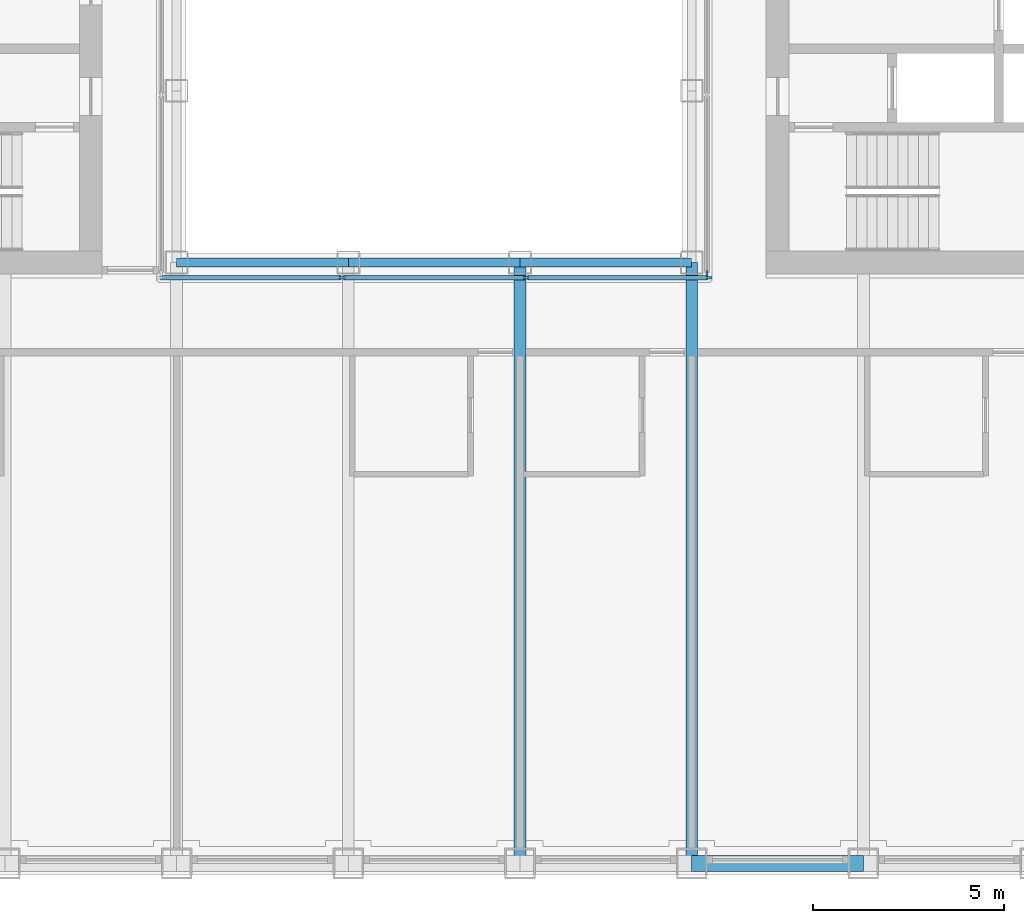
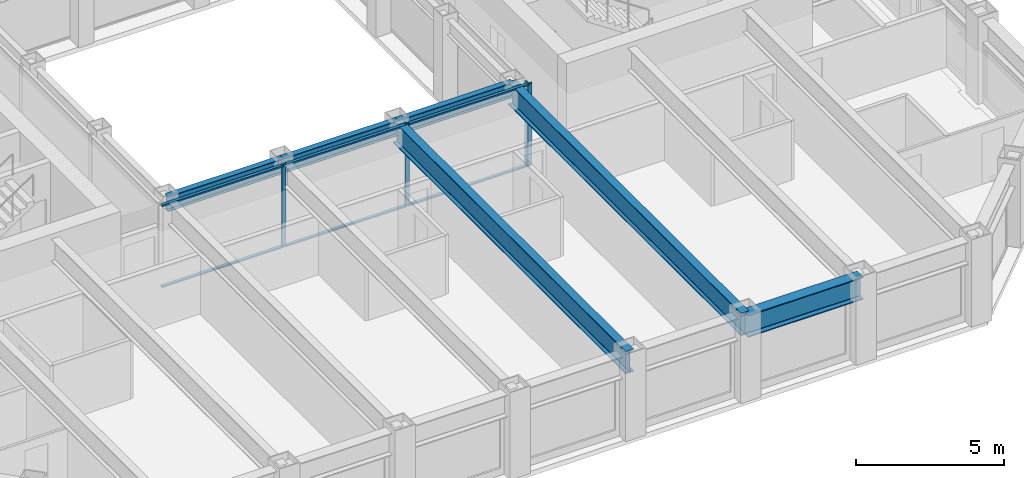
# One storey, part 3 of 17: 10 members, 6 beams, 2 elements without a shape of their own.
"""IFC4 building model written with IfcOpenShell, lengths in metres."""

from ifc_helpers import new_model, si_unit, direction, frame, origin, origin_2d, place, context, subcontext, project, spatial, rectangle, i_section, extrude, material, material_profile, profile_set, type_object, element, aggregate, save


model = new_model("IFC4")

# Units and contexts
model_context = context("Model", 3, precision=1e-05, world=origin(), true_north=direction((0.0, 1.0)))
body_context = subcontext(model_context, "Body", "Model", "MODEL_VIEW")
ifc_project = project(units=[si_unit("LENGTHUNIT", "METRE"), si_unit("AREAUNIT", "SQUARE_METRE"), si_unit("VOLUMEUNIT", "CUBIC_METRE"), si_unit("PLANEANGLEUNIT", "RADIAN"), si_unit("MASSUNIT", "GRAM", prefix="KILO")], contexts=[model_context])

# Site, building, storey
site_placement = place(None, origin())
site = spatial("IfcSite", under=ifc_project, at=site_placement, CompositionType="ELEMENT")
building_placement = place(site_placement, origin())
building = spatial("IfcBuilding", under=site, at=building_placement, Name="Msasa Ring Tower", CompositionType="ELEMENT")
storey_placement = place(building_placement, frame((0.0, 0.0, 165.199951171875)))
storey = spatial("IfcBuildingStorey", under=building, at=storey_placement, Name="L43", CompositionType="ELEMENT", Elevation=165.199951171875)

# Curtain wall, members
ifc_material_1 = material(Name="Aluminium curtain wall with clear glass", Category="aluminium")
curtain_wall_type = type_object("IfcCurtainWallType", Name="CW-W LIGHT WELL CURTAIN WALL", PredefinedType="NOTDEFINED", material=ifc_material_1)
curtain_wall_1_placement = place(storey_placement, origin())
curtain_wall_1 = element("IfcCurtainWall", 1, at=curtain_wall_1_placement, inside=storey, type_object=curtain_wall_type, Name="Light well curtain wall S L43", PredefinedType="NOTDEFINED")
ifc_material_2 = material(Name="Aluminium mullion", Category="aluminium")
ifc_material_profile_1 = material_profile(ifc_material_2, rectangle(XDim=0.06005859375, YDim=0.159912109375, at=origin_2d()), Name="AL 60x160")
ifc_profile_set_1 = profile_set([ifc_material_profile_1], Name="Aluminium mullion")
member_type_1 = type_object("IfcMemberType", Name="CW-W MULLION 60x160", PredefinedType="MULLION", material=ifc_profile_set_1)
member_1_placement = place(storey_placement, frame((-2.409912109375, -7.14990234375, 0.0), z_axis=(0.0, 0.0, 1.0), x_axis=(0.0, 1.0, 0.0)))
member_1 = element("IfcMember", 2, at=member_1_placement, type_object=member_type_1, Name="CW-W mullion 2", PredefinedType="MULLION", context=body_context, shape_type="SweptSolid", body=[
    extrude(rectangle(XDim=0.06005859375, YDim=0.159912109375, at=origin_2d()), origin(), (0.0, 0.0, 1.0), 3.400146484375),
])
member_2_placement = place(storey_placement, frame((2.409912109375, -7.14990234375, 0.0), z_axis=(0.0, 0.0, 1.0), x_axis=(0.0, 1.0, 0.0)))
member_2 = element("IfcMember", 3, at=member_2_placement, type_object=member_type_1, Name="CW-W mullion 3", PredefinedType="MULLION", context=body_context, shape_type="SweptSolid", body=[
    extrude(rectangle(XDim=0.06005859375, YDim=0.159912109375, at=origin_2d()), origin(), (0.0, 0.0, 1.0), 3.400146484375),
])
member_3_placement = place(storey_placement, frame((7.199951171875, -7.14990234375, 0.0), z_axis=(0.0, 0.0, 1.0), x_axis=(0.0, 1.0, 0.0)))
member_3 = element("IfcMember", 4, at=member_3_placement, type_object=member_type_1, Name="CW-W mullion 4", PredefinedType="MULLION", context=body_context, shape_type="SweptSolid", body=[
    extrude(rectangle(XDim=0.06005859375, YDim=0.159912109375, at=origin_2d()), origin(), (0.0, 0.0, 1.0), 3.400146484375),
])

# Curtain wall, member
curtain_wall_2_placement = place(storey_placement, origin())
curtain_wall_2 = element("IfcCurtainWall", 5, at=curtain_wall_2_placement, inside=storey, type_object=curtain_wall_type, Name="Light well curtain wall E L43", PredefinedType="NOTDEFINED")
member_4_placement = place(storey_placement, frame((7.14990234375, -7.0400390625, 0.0), z_axis=(0.0, 0.0, 1.0), x_axis=(-1.0, 0.0, 0.0)))
member_4 = element("IfcMember", 6, at=member_4_placement, type_object=member_type_1, Name="CW-W mullion 1", PredefinedType="MULLION", context=body_context, shape_type="SweptSolid", body=[
    extrude(rectangle(XDim=0.06005859375, YDim=0.159912109375, at=origin_2d()), origin(), (0.0, 0.0, 1.0), 3.400146484375),
])
aggregate(curtain_wall_2, [member_4])

# Member
ifc_material_3 = material(Name="Aluminium transom", Category="aluminium")
ifc_material_profile_2 = material_profile(ifc_material_3, rectangle(XDim=0.1201171875, YDim=0.06005859375, at=origin_2d()), Name="AL 60x120")
ifc_profile_set_2 = profile_set([ifc_material_profile_2], Name="Aluminium transom")
member_type_2 = type_object("IfcMemberType", Name="CW-W TRANSOM 60x120", PredefinedType="USERDEFINED", material=ifc_profile_set_2)
member_5_placement = place(storey_placement, frame((-7.169921875, -7.14990234375, 0.030029296875), z_axis=(1.0, 0.0, 0.0), x_axis=(0.0, 1.0, 0.0)))
member_5 = element("IfcMember", 7, at=member_5_placement, type_object=member_type_2, Name="CW-W transom 1.1", ObjectType="TRANSOM", PredefinedType="USERDEFINED", context=body_context, shape_type="SweptSolid", body=[
    extrude(rectangle(XDim=0.1201171875, YDim=0.06005859375, at=origin_2d()), origin(), (0.0, 0.0, 1.0), 4.72998046875),
])

member_6_placement = place(storey_placement, frame((-7.169921875, -7.14990234375, 3.3701171875), z_axis=(1.0, 0.0, 0.0), x_axis=(0.0, 1.0, 0.0)))
member_6 = element("IfcMember", 8, at=member_6_placement, type_object=member_type_2, Name="CW-W transom 1.2", ObjectType="TRANSOM", PredefinedType="USERDEFINED", context=body_context, shape_type="SweptSolid", body=[
    extrude(rectangle(XDim=0.1201171875, YDim=0.06005859375, at=origin_2d()), origin(), (0.0, 0.0, 1.0), 4.72998046875),
])

member_7_placement = place(storey_placement, frame((-2.3798828125, -7.14990234375, 0.030029296875), z_axis=(1.0, 0.0, 0.0), x_axis=(0.0, 1.0, 0.0)))
member_7 = element("IfcMember", 9, at=member_7_placement, type_object=member_type_2, Name="CW-W transom 2.1", ObjectType="TRANSOM", PredefinedType="USERDEFINED", context=body_context, shape_type="SweptSolid", body=[
    extrude(rectangle(XDim=0.1201171875, YDim=0.06005859375, at=origin_2d()), origin(), (0.0, 0.0, 1.0), 4.759765625),
])

member_8_placement = place(storey_placement, frame((-2.3798828125, -7.14990234375, 3.3701171875), z_axis=(1.0, 0.0, 0.0), x_axis=(0.0, 1.0, 0.0)))
member_8 = element("IfcMember", 10, at=member_8_placement, type_object=member_type_2, Name="CW-W transom 2.2", ObjectType="TRANSOM", PredefinedType="USERDEFINED", context=body_context, shape_type="SweptSolid", body=[
    extrude(rectangle(XDim=0.1201171875, YDim=0.06005859375, at=origin_2d()), origin(), (0.0, 0.0, 1.0), 4.759765625),
])

member_9_placement = place(storey_placement, frame((2.43994140625, -7.14990234375, 0.030029296875), z_axis=(1.0, 0.0, 0.0), x_axis=(0.0, 1.0, 0.0)))
member_9 = element("IfcMember", 11, at=member_9_placement, type_object=member_type_2, Name="CW-W transom 3.1", ObjectType="TRANSOM", PredefinedType="USERDEFINED", context=body_context, shape_type="SweptSolid", body=[
    extrude(rectangle(XDim=0.1201171875, YDim=0.06005859375, at=origin_2d()), origin(), (0.0, 0.0, 1.0), 4.72998046875),
])

member_10_placement = place(storey_placement, frame((2.43994140625, -7.14990234375, 3.3701171875), z_axis=(1.0, 0.0, 0.0), x_axis=(0.0, 1.0, 0.0)))
member_10 = element("IfcMember", 12, at=member_10_placement, type_object=member_type_2, Name="CW-W transom 3.2", ObjectType="TRANSOM", PredefinedType="USERDEFINED", context=body_context, shape_type="SweptSolid", body=[
    extrude(rectangle(XDim=0.1201171875, YDim=0.06005859375, at=origin_2d()), origin(), (0.0, 0.0, 1.0), 4.72998046875),
])

aggregate(curtain_wall_1, [member_1, member_2, member_3, member_5, member_6, member_7, member_8, member_9, member_10])

# Beams
ifc_material_4 = material(Name="Steel S355", Category="steel")
ifc_material_profile_3 = material_profile(ifc_material_4, i_section(OverallWidth=0.3076171875, OverallDepth=0.926513671875, WebThickness=0.01953125, FlangeThickness=0.031982421875, FilletRadius=0.01904296875, at=origin_2d()), Name="UB 914x305x289")
ifc_profile_set_3 = profile_set([ifc_material_profile_3], Name="Steel S355")
beam_type_1 = type_object("IfcBeamType", Name="FB3 UB 914x305x289", PredefinedType="BEAM", material=ifc_profile_set_3)
for number, where, z_axis, x_axis, name in (
    (13, (2.25, -22.5, 2.936767578125), (0.0, 1.0, 0.0), (-1.0, 0.0, 0.0), "Floor beam S+2.25 under L44"),
    (14, (6.75, -22.5, 2.936767578125), (0.0, 1.0, 0.0), (-1.0, 0.0, 0.0), "Floor beam S+6.75 under L44"),
):
    element("IfcBeam", number, at=place(storey_placement, frame(where, z_axis=z_axis, x_axis=x_axis)), inside=storey, type_object=beam_type_1, Name=name, PredefinedType="BEAM", context=body_context, shape_type="SweptSolid", body=[
        extrude(i_section(OverallWidth=0.3076171875, OverallDepth=0.926513671875, WebThickness=0.01953125, FlangeThickness=0.031982421875, FilletRadius=0.01904296875, at=origin_2d()), origin(), (0.0, 0.0, 1.0), 15.75),
    ])
ifc_material_5 = material(Name="Steel S355", Category="steel")
ifc_material_profile_4 = material_profile(ifc_material_5, i_section(OverallWidth=0.230224609375, OverallDepth=0.6171875, WebThickness=0.01318359375, FlangeThickness=0.022216796875, FilletRadius=0.0126953125, at=origin_2d()), Name="UB 610x229x140")
ifc_profile_set_4 = profile_set([ifc_material_profile_4], Name="Steel S355")
beam_type_2 = type_object("IfcBeamType", Name="RB1 UB 610x229x140", PredefinedType="BEAM", material=ifc_profile_set_4)
for number, where, z_axis, x_axis, name in (
    (15, (-6.75, -6.75, 3.091552734375), (1.0, 0.0, 0.0), (0.0, 1.0, 0.0), "Inner ring beam IR-6.75-6.75 under L44"),
    (16, (-2.25, -6.75, 3.091552734375), (1.0, 0.0, 0.0), (0.0, 1.0, 0.0), "Inner ring beam IR-2.25-6.75 under L44"),
    (17, (2.25, -6.75, 3.091552734375), (1.0, 0.0, 0.0), (0.0, 1.0, 0.0), "Inner ring beam IR+2.25-6.75 under L44"),
):
    element("IfcBeam", number, at=place(storey_placement, frame(where, z_axis=z_axis, x_axis=x_axis)), inside=storey, type_object=beam_type_2, Name=name, PredefinedType="BEAM", context=body_context, shape_type="SweptSolid", body=[
        extrude(i_section(OverallWidth=0.230224609375, OverallDepth=0.6171875, WebThickness=0.01318359375, FlangeThickness=0.022216796875, FilletRadius=0.0126953125, at=origin_2d()), origin(), (0.0, 0.0, 1.0), 4.5),
    ])
ifc_material_6 = material(Name="Steel S355", Category="steel")
ifc_material_profile_5 = material_profile(ifc_material_6, i_section(OverallWidth=0.42041015625, OverallDepth=0.9208984375, WebThickness=0.021484375, FlangeThickness=0.03662109375, FilletRadius=0.024169921875, at=origin_2d()), Name="UB 914x419x388")
ifc_profile_set_5 = profile_set([ifc_material_profile_5], Name="Steel S355")
beam_type_3 = type_object("IfcBeamType", Name="SB1 UB 914x419x388", PredefinedType="SPANDREL", material=ifc_profile_set_5)
beam_placement = place(storey_placement, frame((6.75, -22.5, 2.939453125), z_axis=(1.0, 0.0, 0.0), x_axis=(0.0, 1.0, 0.0)))
element("IfcBeam", 18, at=beam_placement, inside=storey, type_object=beam_type_3, Name="Spandrel S+6.75 to S+11.25 under L44", PredefinedType="SPANDREL", context=body_context, shape_type="SweptSolid", body=[
    extrude(i_section(OverallWidth=0.42041015625, OverallDepth=0.9208984375, WebThickness=0.021484375, FlangeThickness=0.03662109375, FilletRadius=0.024169921875, at=origin_2d()), origin(), (0.0, 0.0, 1.0), 4.5),
])

save(model, "model.ifc")
